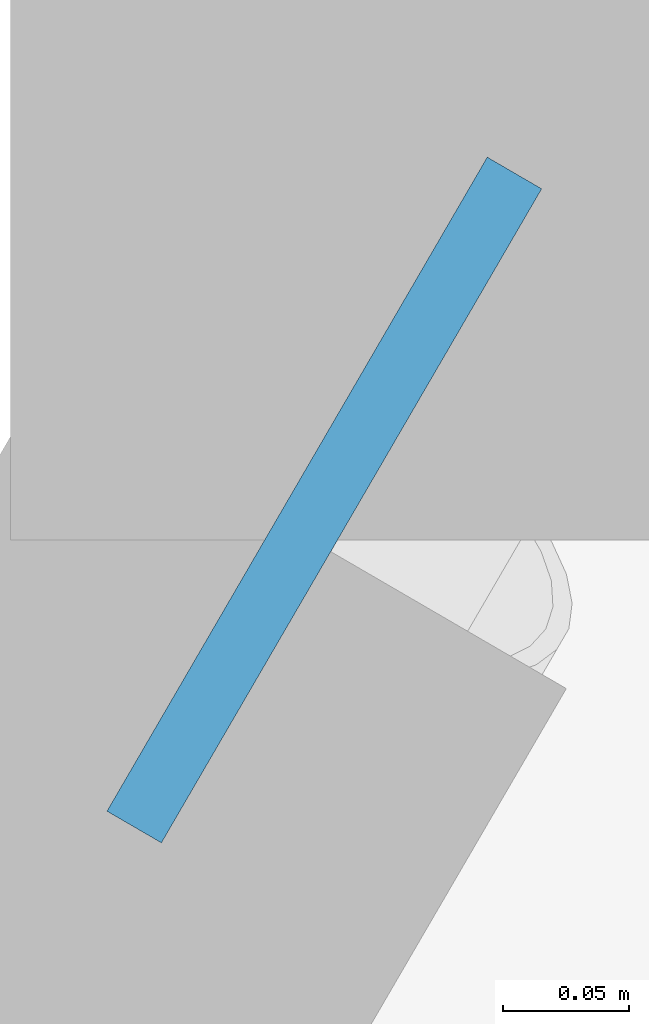
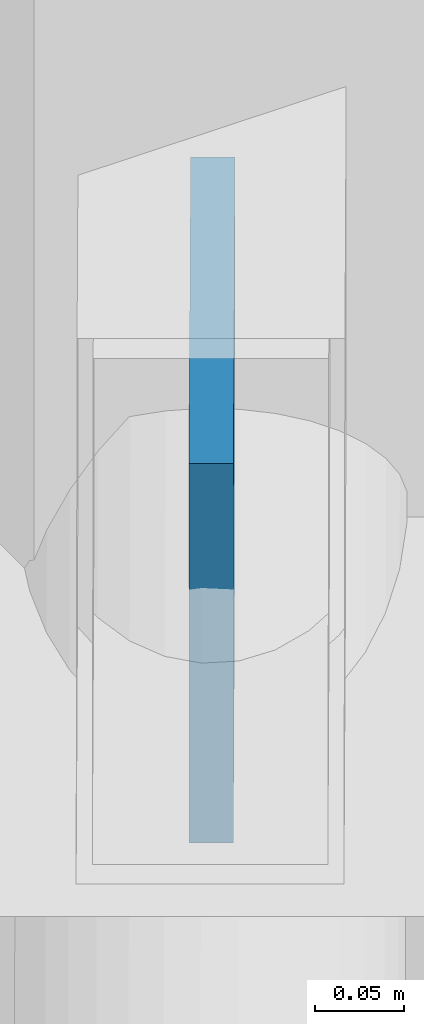
# One storey, part 110 of 134: 1 plate.
"""IFC4 building model written with IfcOpenShell, lengths in metres."""

import ifcopenshell
import ifcopenshell.guid

model = None  # the IFC model being written
_history = None  # IfcOwnerHistory: only IFC2X3 demands one
_inside = {}  # id of a spatial element -> (the spatial element, [elements in it])
_under = {}  # id of a project, library or spatial element -> (it, [spatial elements below it])
_declared = {}  # id of a project -> (the project, [libraries it declares])
_typed = {}  # id of a type object -> (the type object, [elements of that type])
_made_of = {}  # id of a material, layer set ... -> (it, [elements and type objects made of it])


def new_model(schema):
    """Start an empty IFC model of exactly this schema.

    Asked for "IFC4X3", IfcOpenShell would pick the latest addendum, in which some entities
    have other attributes; the version numbers below select the first issue.
    IFC2X3 requires an IfcOwnerHistory on every rooted entity: one is made here for all.
    """
    global model, _history
    if schema == "IFC4X3":
        model = ifcopenshell.file(schema_version=(4, 3, 0, 0))
    else:
        model = ifcopenshell.file(schema=schema)
    _inside.clear()
    _under.clear()
    _declared.clear()
    _typed.clear()
    _made_of.clear()
    _history = None
    if model.schema == "IFC2X3":
        org = make("IfcOrganization", Name="unknown")
        user = make(
            "IfcPersonAndOrganization",
            ThePerson=make("IfcPerson", FamilyName="unknown"),
            TheOrganization=org,
        )
        app = make(
            "IfcApplication",
            ApplicationDeveloper=org,
            Version="unknown",
            ApplicationFullName="unknown",
            ApplicationIdentifier="unknown",
        )
        _history = make(
            "IfcOwnerHistory",
            OwningUser=user,
            OwningApplication=app,
            ChangeAction="ADDED",
            CreationDate=0,
        )
    return model


def make(cls, **values):
    """One entity of the class cls with the attributes given. An attribute that is None is left unset."""
    return model.create_entity(
        cls, **{name: value for name, value in values.items() if value is not None}
    )


def rooted(cls, **values):
    """An entity with a GlobalId (a new one), such as an element, a storey or a relation."""
    return make(cls, GlobalId=ifcopenshell.guid.new(), OwnerHistory=_history, **values)


def si_unit(unit_type, name, prefix=None):
    """IfcSIUnit, for example si_unit("LENGTHUNIT", "METRE", prefix="MILLI")."""
    return make("IfcSIUnit", UnitType=unit_type, Prefix=prefix, Name=name)


def assignment(units):
    """IfcUnitAssignment: the units of a project."""
    return None if units is None else make("IfcUnitAssignment", Units=units)


def point(xyz):
    """IfcCartesianPoint."""
    return None if xyz is None else make("IfcCartesianPoint", Coordinates=xyz)


def direction(xyz):
    """IfcDirection."""
    return None if xyz is None else make("IfcDirection", DirectionRatios=xyz)


def frame(location, z_axis=None, x_axis=None):
    """IfcAxis2Placement3D, a coordinate frame: its origin and axes. An axis left out is left unset."""
    return make(
        "IfcAxis2Placement3D",
        Location=point(location),
        Axis=direction(z_axis),
        RefDirection=direction(x_axis),
    )


def frame_2d(location, x_axis=None):
    """IfcAxis2Placement2D, a coordinate frame in the plane: its origin and x axis."""
    return make(
        "IfcAxis2Placement2D", Location=point(location), RefDirection=direction(x_axis)
    )


def origin():
    """The frame at (0, 0, 0) with its axes left unset."""
    return frame((0.0, 0.0, 0.0))


def origin_2d():
    """The frame at (0, 0) in the plane with its x axis left unset."""
    return frame_2d((0.0, 0.0))


def place(relative_to, where):
    """IfcLocalPlacement: puts the frame where relative to a parent placement (None: the world)."""
    return make(
        "IfcLocalPlacement", PlacementRelTo=relative_to, RelativePlacement=where
    )


def context(
    kind, dimensions, precision=None, world=None, true_north=None, identifier=None
):
    """IfcGeometricRepresentationContext, for example the 3D "Model" context."""
    return make(
        "IfcGeometricRepresentationContext",
        ContextIdentifier=identifier,
        ContextType=kind,
        CoordinateSpaceDimension=dimensions,
        Precision=precision,
        WorldCoordinateSystem=world,
        TrueNorth=true_north,
    )


def subcontext(parent, identifier, kind, view, scale=None):
    """IfcGeometricRepresentationSubContext, for example "Body" below "Model"."""
    return make(
        "IfcGeometricRepresentationSubContext",
        ContextIdentifier=identifier,
        ContextType=kind,
        ParentContext=parent,
        TargetScale=scale,
        TargetView=view,
    )


def project(units=None, contexts=None):
    """IfcProject with its units and contexts."""
    return rooted(
        "IfcProject",
        Name="project",
        RepresentationContexts=contexts,
        UnitsInContext=assignment(units),
    )


def spatial(cls, under=None, at=None, **own):
    """A site, building, storey or space (cls), placed at a placement, below another one or the project."""
    s = rooted(cls, ObjectPlacement=at, **own)
    if under is not None:
        _under.setdefault(under.id(), (under, []))[1].append(s)
    return s


def profile(cls, at=None, kind="AREA", **sizes):
    """A parametric profile (cls). Its sizes go by their IFC names, for example OverallWidth=200.0."""
    return make(cls, ProfileType=kind, Position=at, **sizes)


def rectangle(**sizes):
    """IfcRectangleProfileDef."""
    return profile("IfcRectangleProfileDef", **sizes)


def extrude(swept, where, along, depth):
    """IfcExtrudedAreaSolid: the profile swept, set in the frame where, extruded along a direction by depth."""
    return make(
        "IfcExtrudedAreaSolid",
        SweptArea=swept,
        Position=where,
        ExtrudedDirection=direction(along),
        Depth=depth,
    )


def shape(context_of_items, identifier, shape_type, items):
    """IfcShapeRepresentation: the items that make up one representation, for example the "Body"."""
    return make(
        "IfcShapeRepresentation",
        ContextOfItems=context_of_items,
        RepresentationIdentifier=identifier,
        RepresentationType=shape_type,
        Items=items,
    )


def material(Name=None, Category=None):
    """IfcMaterial."""
    return make("IfcMaterial", Name=Name, Category=Category)


def layer(
    of_material, thickness, ventilated=None, Name=None, Category=None, Priority=None
):
    """IfcMaterialLayer: one layer of a wall or slab, of a material (None: an air gap)."""
    return make(
        "IfcMaterialLayer",
        Material=of_material,
        LayerThickness=thickness,
        IsVentilated=ventilated,
        Name=Name,
        Category=Category,
        Priority=Priority,
    )


def layer_set(layers, Name=None):
    """IfcMaterialLayerSet."""
    return make("IfcMaterialLayerSet", MaterialLayers=layers, LayerSetName=Name)


def made_of(thing, what):
    """Note that an element or type object is made of a material, layer set ...; save() writes the relation."""
    if what is not None:
        _made_of.setdefault(what.id(), (what, []))[1].append(thing)
    return thing


def type_object(cls, material=None, **own):
    """A type object (cls), such as IfcWallType, which elements share."""
    return made_of(rooted(cls, **own), material)


def element(
    cls,
    number,
    at=None,
    inside=None,
    cuts=None,
    type_object=None,
    material=None,
    context=None,
    identifier="Body",
    shape_type=None,
    held_by="IfcProductDefinitionShape",
    body=None,
    shapes=None,
    **own,
):
    """One element of the class cls, such as IfcWall. Its Tag is "e" and its number.

    at: its placement. inside: the storey or other place that contains it. cuts: it is an
    opening in that element (IfcRelVoidsElement). A single representation is given by context,
    identifier, shape_type and body (its items); several are given by shapes. held_by: the class
    of the entity that holds the representations. save() writes the other relations.
    """
    e = rooted(cls, Tag="e%d" % number, ObjectPlacement=at, **own)
    if body is not None:
        shapes = [shape(context, identifier, shape_type, body)]
    if shapes is not None:
        e.Representation = make(held_by, Representations=shapes)
    if inside is not None:
        _inside.setdefault(inside.id(), (inside, []))[1].append(e)
    if cuts is not None:
        rooted(
            "IfcRelVoidsElement", RelatingBuildingElement=cuts, RelatedOpeningElement=e
        )
    if type_object is not None:
        _typed.setdefault(type_object.id(), (type_object, []))[1].append(e)
    return made_of(e, material)


def aggregate(whole, parts):
    """IfcRelAggregates: a whole, such as a stair, and the parts it consists of."""
    return rooted("IfcRelAggregates", RelatingObject=whole, RelatedObjects=parts)


def save(model, path):
    """Write the relations noted so far, then the file.

    IfcRelAggregates (storeys below a building ...), IfcRelContainedInSpatialStructure (elements
    in a storey), IfcRelDefinesByType, IfcRelAssociatesMaterial and IfcRelDeclares: one each for
    every whole, place, type object, material and project.
    """
    for whole, parts in _under.values():
        aggregate(whole, parts)
    for where, things in _inside.values():
        rooted(
            "IfcRelContainedInSpatialStructure",
            RelatedElements=things,
            RelatingStructure=where,
        )
    for kind, things in _typed.values():
        rooted("IfcRelDefinesByType", RelatedObjects=things, RelatingType=kind)
    for what, things in _made_of.values():
        rooted("IfcRelAssociatesMaterial", RelatedObjects=things, RelatingMaterial=what)
    for by, libraries in _declared.values():
        rooted("IfcRelDeclares", RelatingContext=by, RelatedDefinitions=libraries)
    model.write(path)


model = new_model("IFC4")

# Units and contexts
model_context = context("Model", 3, precision=1e-05, world=origin(), true_north=direction((0.0, 1.0)))
body_context = subcontext(model_context, "Body", "Model", "MODEL_VIEW")
ifc_project = project(units=[si_unit("LENGTHUNIT", "METRE"), si_unit("AREAUNIT", "SQUARE_METRE"), si_unit("VOLUMEUNIT", "CUBIC_METRE"), si_unit("PLANEANGLEUNIT", "RADIAN"), si_unit("MASSUNIT", "GRAM", prefix="KILO")], contexts=[model_context])

# Site, building, storey
site_placement = place(None, origin())
site = spatial("IfcSite", under=ifc_project, at=site_placement, CompositionType="ELEMENT")
building_placement = place(site_placement, origin())
building = spatial("IfcBuilding", under=site, at=building_placement, Name="Karori Crest Natural Sciences Institute", CompositionType="ELEMENT")
storey_placement = place(building_placement, frame((0.0, 0.0, 21.699951171875)))
storey = spatial("IfcBuildingStorey", under=building, at=storey_placement, Name="L05", CompositionType="ELEMENT", Elevation=21.699951171875)

# Plate
ifc_material = material(Name="Structural steel AS/NZS 3679.1 Grade 350", Category="steel")
ifc_layer = layer(ifc_material, 0.02490234375, Name="Structural steel AS/NZS 3679.1 Grade 350")
ifc_layer_set = layer_set([ifc_layer], Name="Structural steel AS/NZS 3679.1 Grade 350")
plate_type = type_object("IfcPlateType", Name="PLT-06", PredefinedType="SHEET", material=ifc_layer_set)
plate_placement = place(storey_placement, frame((87.380126953125, 33.540771484375, 3.5205078125), z_axis=(0.0, 0.0, 1.0), x_axis=(0.502651840669, 0.86448893982, 0.0)))
element("IfcPlate", 1, at=plate_placement, inside=storey, type_object=plate_type, Name="Brace gusset plate EP-0054", PredefinedType="SHEET", context=body_context, shape_type="SweptSolid", body=[
    extrude(rectangle(XDim=0.299072265625, YDim=0.02490234375, at=origin_2d()), origin(), (0.0, 0.0, 1.0), 0.259033203125),
])

save(model, "model.ifc")
